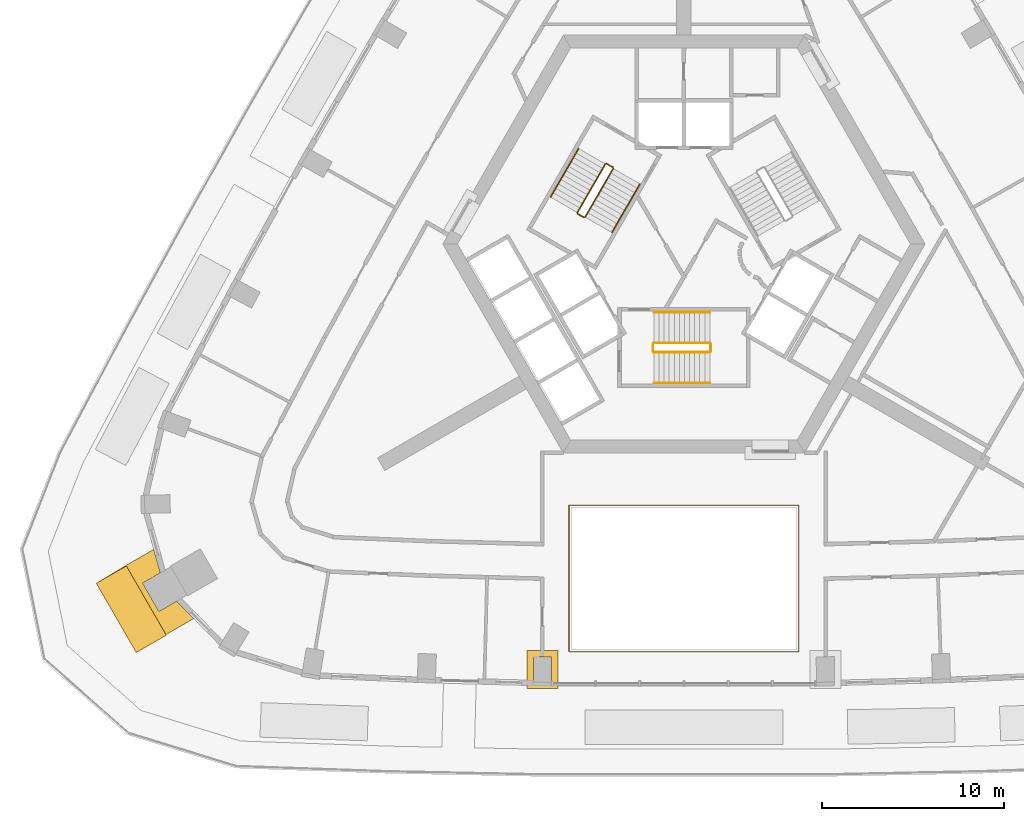
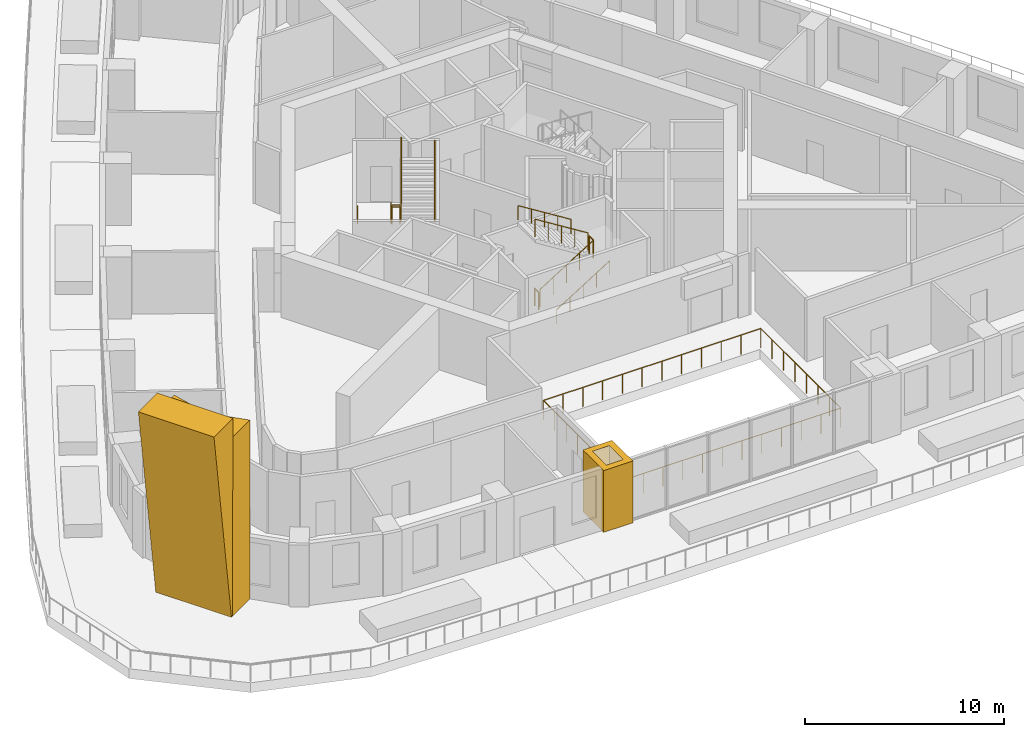
# One storey, part 11 of 13: 13 railings, 3 coverings.
"""IFC4 building model written with IfcOpenShell, lengths in metres."""

from ifc_helpers import new_model, si_unit, direction, frame, origin, origin_2d, place, context, subcontext, project, spatial, polyline, circle, outline, extrude, material, type_object, element, save


model = new_model("IFC4")

# Units and contexts
model_context = context("Model", 3, precision=1e-05, world=origin(), true_north=direction((0.0, 1.0)))
body_context = subcontext(model_context, "Body", "Model", "MODEL_VIEW")
ifc_project = project(units=[si_unit("LENGTHUNIT", "METRE"), si_unit("AREAUNIT", "SQUARE_METRE"), si_unit("VOLUMEUNIT", "CUBIC_METRE"), si_unit("PLANEANGLEUNIT", "RADIAN"), si_unit("MASSUNIT", "GRAM", prefix="KILO")], contexts=[model_context])

# Site, building, storey
site_placement = place(None, origin())
site = spatial("IfcSite", under=ifc_project, at=site_placement, CompositionType="ELEMENT")
building_placement = place(site_placement, origin())
building = spatial("IfcBuilding", under=site, at=building_placement, Name="Entoto Arch Interchange Tower", CompositionType="ELEMENT")
storey_placement = place(building_placement, frame((0.0, 0.0, 189.800048828125)))
storey = spatial("IfcBuildingStorey", under=building, at=storey_placement, Name="L42", CompositionType="ELEMENT", Elevation=189.800048828125)

# Railing
ifc_material_1 = material(Name="Stainless steel 1.4301", Category="steel")
railing_type_1 = type_object("IfcRailingType", Name="ATRIUM GUARD 1200 STEEL AND GLASS", PredefinedType="GUARDRAIL", material=ifc_material_1)
railing_1_placement = place(storey_placement, frame((6.320068359375, -19.947021484375, 0.0)))
element("IfcRailing", 1, at=railing_1_placement, inside=storey, type_object=railing_type_1, Name="Atrium guard L42", PredefinedType="GUARDRAIL", context=body_context, shape_type="SweptSolid", body=[
    extrude(circle(Radius=0.02392578125, at=origin_2d()), frame((0.0, 0.0, 1.17578125), z_axis=(-1.0, 0.0, 0.0), x_axis=(0.0, -1.0, 0.0)), (0.0, 0.0, 1.0), 12.64013671875),
    extrude(circle(Radius=0.02392578125, at=origin_2d()), frame((-12.64013671875, 0.0, 1.17578125), z_axis=(0.0, 1.0, 0.0), x_axis=(-1.0, 0.0, 0.0)), (0.0, 0.0, 1.0), 8.067138671875),
    extrude(circle(Radius=0.02392578125, at=origin_2d()), frame((-12.64013671875, 8.067138671875, 1.17578125), z_axis=(1.0, 0.0, 0.0), x_axis=(0.0, 1.0, 0.0)), (0.0, 0.0, 1.0), 12.64013671875),
    extrude(circle(Radius=0.02392578125, at=origin_2d()), frame((0.0, 8.067138671875, 1.17578125), z_axis=(0.0, -1.0, 0.0), x_axis=(1.0, 0.0, 0.0)), (0.0, 0.0, 1.0), 8.067138671875),
    extrude(circle(Radius=0.02099609375, at=origin_2d()), origin(), (0.0, 0.0, 1.0), 1.15185546875),
    extrude(circle(Radius=0.02099609375, at=origin_2d()), frame((-1.149169921875, 0.0, 0.0)), (0.0, 0.0, 1.0), 1.15185546875),
    extrude(circle(Radius=0.02099609375, at=origin_2d()), frame((-2.298095703125, 0.0, 0.0)), (0.0, 0.0, 1.0), 1.15185546875),
    extrude(circle(Radius=0.02099609375, at=origin_2d()), frame((-3.447265625, 0.0, 0.0)), (0.0, 0.0, 1.0), 1.15185546875),
    extrude(circle(Radius=0.02099609375, at=origin_2d()), frame((-4.596435546875, 0.0, 0.0)), (0.0, 0.0, 1.0), 1.15185546875),
    extrude(circle(Radius=0.02099609375, at=origin_2d()), frame((-5.74560546875, 0.0, 0.0)), (0.0, 0.0, 1.0), 1.15185546875),
    extrude(circle(Radius=0.02099609375, at=origin_2d()), frame((-6.89453125, 0.0, 0.0)), (0.0, 0.0, 1.0), 1.15185546875),
    extrude(circle(Radius=0.02099609375, at=origin_2d()), frame((-8.043701171875, 0.0, 0.0)), (0.0, 0.0, 1.0), 1.15185546875),
    extrude(circle(Radius=0.02099609375, at=origin_2d()), frame((-9.19287109375, 0.0, 0.0)), (0.0, 0.0, 1.0), 1.15185546875),
    extrude(circle(Radius=0.02099609375, at=origin_2d()), frame((-10.342041015625, 0.0, 0.0)), (0.0, 0.0, 1.0), 1.15185546875),
    extrude(circle(Radius=0.02099609375, at=origin_2d()), frame((-11.490966796875, 0.0, 0.0)), (0.0, 0.0, 1.0), 1.15185546875),
    extrude(circle(Radius=0.02099609375, at=origin_2d()), frame((-12.64013671875, 0.0, 0.0)), (0.0, 0.0, 1.0), 1.15185546875),
    extrude(circle(Radius=0.02099609375, at=origin_2d()), frame((-12.64013671875, 1.15234375, 0.0)), (0.0, 0.0, 1.0), 1.15185546875),
    extrude(circle(Radius=0.02099609375, at=origin_2d()), frame((-12.64013671875, 2.304931640625, 0.0)), (0.0, 0.0, 1.0), 1.15185546875),
    extrude(circle(Radius=0.02099609375, at=origin_2d()), frame((-12.64013671875, 3.457275390625, 0.0)), (0.0, 0.0, 1.0), 1.15185546875),
    extrude(circle(Radius=0.02099609375, at=origin_2d()), frame((-12.64013671875, 4.60986328125, 0.0)), (0.0, 0.0, 1.0), 1.15185546875),
    extrude(circle(Radius=0.02099609375, at=origin_2d()), frame((-12.64013671875, 5.76220703125, 0.0)), (0.0, 0.0, 1.0), 1.15185546875),
    extrude(circle(Radius=0.02099609375, at=origin_2d()), frame((-12.64013671875, 6.914794921875, 0.0)), (0.0, 0.0, 1.0), 1.15185546875),
    extrude(circle(Radius=0.02099609375, at=origin_2d()), frame((-12.64013671875, 8.067138671875, 0.0)), (0.0, 0.0, 1.0), 1.15185546875),
    extrude(circle(Radius=0.02099609375, at=origin_2d()), frame((-11.490966796875, 8.067138671875, 0.0)), (0.0, 0.0, 1.0), 1.15185546875),
    extrude(circle(Radius=0.02099609375, at=origin_2d()), frame((-10.342041015625, 8.067138671875, 0.0)), (0.0, 0.0, 1.0), 1.15185546875),
    extrude(circle(Radius=0.02099609375, at=origin_2d()), frame((-9.19287109375, 8.067138671875, 0.0)), (0.0, 0.0, 1.0), 1.15185546875),
    extrude(circle(Radius=0.02099609375, at=origin_2d()), frame((-8.043701171875, 8.067138671875, 0.0)), (0.0, 0.0, 1.0), 1.15185546875),
    extrude(circle(Radius=0.02099609375, at=origin_2d()), frame((-6.89453125, 8.067138671875, 0.0)), (0.0, 0.0, 1.0), 1.15185546875),
    extrude(circle(Radius=0.02099609375, at=origin_2d()), frame((-5.74560546875, 8.067138671875, 0.0)), (0.0, 0.0, 1.0), 1.15185546875),
    extrude(circle(Radius=0.02099609375, at=origin_2d()), frame((-4.596435546875, 8.067138671875, 0.0)), (0.0, 0.0, 1.0), 1.15185546875),
    extrude(circle(Radius=0.02099609375, at=origin_2d()), frame((-3.447265625, 8.067138671875, 0.0)), (0.0, 0.0, 1.0), 1.15185546875),
    extrude(circle(Radius=0.02099609375, at=origin_2d()), frame((-2.298095703125, 8.067138671875, 0.0)), (0.0, 0.0, 1.0), 1.15185546875),
    extrude(circle(Radius=0.02099609375, at=origin_2d()), frame((-1.149169921875, 8.067138671875, 0.0)), (0.0, 0.0, 1.0), 1.15185546875),
    extrude(circle(Radius=0.02099609375, at=origin_2d()), frame((0.0, 8.067138671875, 0.0)), (0.0, 0.0, 1.0), 1.15185546875),
    extrude(circle(Radius=0.02099609375, at=origin_2d()), frame((0.0, 6.914794921875, 0.0)), (0.0, 0.0, 1.0), 1.15185546875),
    extrude(circle(Radius=0.02099609375, at=origin_2d()), frame((0.0, 5.76220703125, 0.0)), (0.0, 0.0, 1.0), 1.15185546875),
    extrude(circle(Radius=0.02099609375, at=origin_2d()), frame((0.0, 4.60986328125, 0.0)), (0.0, 0.0, 1.0), 1.15185546875),
    extrude(circle(Radius=0.02099609375, at=origin_2d()), frame((0.0, 3.457275390625, 0.0)), (0.0, 0.0, 1.0), 1.15185546875),
    extrude(circle(Radius=0.02099609375, at=origin_2d()), frame((0.0, 2.304931640625, 0.0)), (0.0, 0.0, 1.0), 1.15185546875),
    extrude(circle(Radius=0.02099609375, at=origin_2d()), frame((0.0, 1.15234375, 0.0)), (0.0, 0.0, 1.0), 1.15185546875),
])

# Coverings
ifc_material_2 = material(Name="Board-marked precast concrete C50/60", Category="concrete")
covering_type = type_object("IfcCoveringType", Name="PRECAST FRAME COURSE", PredefinedType="CLADDING", material=ifc_material_2)
covering_1_placement = place(storey_placement, origin())
element("IfcCovering", 2, at=covering_1_placement, inside=storey, type_object=covering_type, Name="Corner pilaster SW L42-L44", PredefinedType="CLADDING", context=body_context, shape_type="SweptSolid", body=[
    extrude(outline(polyline([(-28.51806640625, -19.0048828125), (-30.718017578125, -15.195068359375), (-29.194091796875, -14.31396484375), (-28.830078125, -15.60595703125), (-29.80810546875, -16.1708984375), (-28.907958984375, -17.72900390625), (-27.929931640625, -17.1650390625), (-26.993896484375, -18.125), (-28.51806640625, -19.0048828125)])), origin(), (0.0, 0.0, 1.0), 11.0),
])
covering_2_placement = place(storey_placement, frame((-30.718017578125, -15.195068359375, 0.0), z_axis=(-0.499875121428, 0.866092488993, 0.002943380177), x_axis=(-0.866096241874, -0.499877284753, -7.92435e-07)))
element("IfcCovering", 3, at=covering_2_placement, inside=storey, type_object=covering_type, Name="Corner rib SW L42-L44", PredefinedType="CLADDING", context=body_context, shape_type="SweptSolid", body=[
    extrude(outline(polyline([(0.0, 0.0), (0.089907744519577, 0.0), (1.9118906428096982, 12.200005534335567), (-0.0001577894255824919, 12.200003947909243), (0.0, 0.0)])), origin(), (0.0, 0.0, -1.0), 4.39990234375),
])
covering_3_placement = place(storey_placement, origin())
element("IfcCovering", 4, at=covering_3_placement, inside=storey, type_object=covering_type, Name="Gate pier L42", PredefinedType="CLADDING", context=body_context, shape_type="SweptSolid", body=[
    extrude(outline(polyline([(-8.637939453125, -19.876953125), (-6.93798828125, -19.876953125), (-6.93798828125, -21.97705078125), (-8.637939453125, -21.97705078125), (-8.637939453125, -19.876953125)]), holes=[polyline([(-8.2880859375, -20.22705078125), (-8.2880859375, -21.626953125), (-7.2880859375, -21.626953125), (-7.2880859375, -20.22705078125), (-8.2880859375, -20.22705078125)])]), origin(), (0.0, 0.0, 1.0), 3.800048828125),
])

# Railings
railing_type_2 = type_object("IfcRailingType", Name="STAIR GUARD 1100 STEEL", PredefinedType="GUARDRAIL", material=ifc_material_1)
railing_2_placement = place(storey_placement, frame((-1.64990234375, -3.449951171875, 0.175048828125)))
element("IfcRailing", 5, at=railing_2_placement, inside=storey, type_object=railing_type_2, Name="L42 ST-S stair guard 1", PredefinedType="GUARDRAIL", context=body_context, shape_type="SweptSolid", body=[
    extrude(circle(Radius=0.02392578125, at=origin_2d()), frame((0.0, 0.0, 1.076171875), z_axis=(0.848009633417, 0.0, 0.529980812513), x_axis=(0.0, 1.0, 0.0)), (0.0, 0.0, 1.0), 3.6318359375),
    extrude(circle(Radius=0.02099609375, at=origin_2d()), origin(), (0.0, 0.0, 1.0), 1.052001953125),
    extrude(circle(Radius=0.02099609375, at=origin_2d()), frame((0.77001953125, 0.0, 0.481201171875)), (0.0, 0.0, 1.0), 1.052001953125),
    extrude(circle(Radius=0.02099609375, at=origin_2d()), frame((1.5400390625, 0.0, 0.96240234375)), (0.0, 0.0, 1.0), 1.052001953125),
    extrude(circle(Radius=0.02099609375, at=origin_2d()), frame((2.309814453125, 0.0, 1.443603515625)), (0.0, 0.0, 1.0), 1.052001953125),
    extrude(circle(Radius=0.02099609375, at=origin_2d()), frame((3.079833984375, 0.0, 1.9248046875)), (0.0, 0.0, 1.0), 1.052001953125),
])
railing_3_placement = place(storey_placement, frame((1.47998046875, -3.39990234375, 2.099853515625)))
element("IfcRailing", 6, at=railing_3_placement, inside=storey, type_object=railing_type_2, Name="L42 ST-S stair guard 2", PredefinedType="GUARDRAIL", context=body_context, shape_type="SweptSolid", body=[
    extrude(circle(Radius=0.02392578125, at=origin_2d()), frame((0.0, 0.0, 1.076171875), z_axis=(0.0, 1.0, 0.0), x_axis=(-1.0, 0.0, 0.0)), (0.0, 0.0, 1.0), 0.39990234375),
    extrude(circle(Radius=0.02099609375, at=origin_2d()), origin(), (0.0, 0.0, 1.0), 1.052001953125),
    extrude(circle(Radius=0.02099609375, at=origin_2d()), frame((0.0, 0.39990234375, 0.0)), (0.0, 0.0, 1.0), 1.052001953125),
])
railing_4_placement = place(storey_placement, frame((1.429931640625, -2.949951171875, 2.27490234375)))
element("IfcRailing", 7, at=railing_4_placement, inside=storey, type_object=railing_type_2, Name="L42 ST-S stair guard 3", PredefinedType="GUARDRAIL", context=body_context, shape_type="SweptSolid", body=[
    extrude(circle(Radius=0.02392578125, at=origin_2d()), frame((0.0, 0.0, 1.076171875), z_axis=(-0.847979421464, 0.0, 0.530029150871), x_axis=(0.0, -1.0, 0.0)), (0.0, 0.0, 1.0), 3.632080078125),
    extrude(circle(Radius=0.02099609375, at=origin_2d()), origin(), (0.0, 0.0, 1.0), 1.052001953125),
    extrude(circle(Radius=0.02099609375, at=origin_2d()), frame((-0.77001953125, 0.0, 0.481201171875)), (0.0, 0.0, 1.0), 1.052001953125),
    extrude(circle(Radius=0.02099609375, at=origin_2d()), frame((-1.5400390625, 0.0, 0.96240234375)), (0.0, 0.0, 1.0), 1.052001953125),
    extrude(circle(Radius=0.02099609375, at=origin_2d()), frame((-2.309814453125, 0.0, 1.44384765625)), (0.0, 0.0, 1.0), 1.052001953125),
    extrude(circle(Radius=0.02099609375, at=origin_2d()), frame((-3.079833984375, 0.0, 1.925048828125)), (0.0, 0.0, 1.0), 1.052001953125),
])
railing_5_placement = place(storey_placement, frame((-1.699951171875, -3.39990234375, 0.0)))
element("IfcRailing", 8, at=railing_5_placement, inside=storey, type_object=railing_type_2, Name="L42 ST-S stair guard 4", PredefinedType="GUARDRAIL", context=body_context, shape_type="SweptSolid", body=[
    extrude(circle(Radius=0.02392578125, at=origin_2d()), frame((0.0, 0.0, 1.076171875), z_axis=(0.0, 1.0, 0.0), x_axis=(-1.0, 0.0, 0.0)), (0.0, 0.0, 1.0), 0.39990234375),
    extrude(circle(Radius=0.02099609375, at=origin_2d()), origin(), (0.0, 0.0, 1.0), 1.052001953125),
    extrude(circle(Radius=0.02099609375, at=origin_2d()), frame((0.0, 0.39990234375, 0.0)), (0.0, 0.0, 1.0), 1.052001953125),
])
railing_6_placement = place(storey_placement, frame((-4.327880859375, 6.904052734375, 0.175048828125)))
element("IfcRailing", 9, at=railing_6_placement, inside=storey, type_object=railing_type_2, Name="L42 ST-NW stair guard 1", PredefinedType="GUARDRAIL", context=body_context, shape_type="SweptSolid", body=[
    extrude(circle(Radius=0.02392578125, at=origin_2d()), frame((0.0, 0.0, 1.076171875), z_axis=(-0.424009578203, -0.734421155904, 0.529944755001), x_axis=(0.866029832698, -0.499992328818, 0.0)), (0.0, 0.0, 1.0), 3.632080078125),
    extrude(circle(Radius=0.02099609375, at=origin_2d()), origin(), (0.0, 0.0, 1.0), 1.052001953125),
    extrude(circle(Radius=0.02099609375, at=origin_2d()), frame((-0.385009765625, -0.6669921875, 0.481201171875)), (0.0, 0.0, 1.0), 1.052001953125),
    extrude(circle(Radius=0.02099609375, at=origin_2d()), frame((-0.77001953125, -1.333740234375, 0.96240234375)), (0.0, 0.0, 1.0), 1.052001953125),
    extrude(circle(Radius=0.02099609375, at=origin_2d()), frame((-1.155029296875, -2.00048828125, 1.443603515625)), (0.0, 0.0, 1.0), 1.052001953125),
    extrude(circle(Radius=0.02099609375, at=origin_2d()), frame((-1.5400390625, -2.66748046875, 1.9248046875)), (0.0, 0.0, 1.0), 1.052001953125),
])
railing_7_placement = place(storey_placement, frame((-5.849609375, 4.168212890625, 2.099853515625)))
element("IfcRailing", 10, at=railing_7_placement, inside=storey, type_object=railing_type_2, Name="L42 ST-NW stair guard 2", PredefinedType="GUARDRAIL", context=body_context, shape_type="SweptSolid", body=[
    extrude(circle(Radius=0.02392578125, at=origin_2d()), frame((0.0, 0.0, 1.076171875), z_axis=(0.866094119867, -0.499880961361, 0.0), x_axis=(0.499880961361, 0.866094119867, 0.0)), (0.0, 0.0, 1.0), 0.39990234375),
    extrude(circle(Radius=0.02099609375, at=origin_2d()), origin(), (0.0, 0.0, 1.0), 1.052001953125),
    extrude(circle(Radius=0.02099609375, at=origin_2d()), frame((0.346435546875, -0.199951171875, 0.0)), (0.0, 0.0, 1.0), 1.052001953125),
])
railing_8_placement = place(storey_placement, frame((-5.434814453125, 3.986572265625, 2.27490234375)))
element("IfcRailing", 11, at=railing_8_placement, inside=storey, type_object=railing_type_2, Name="L42 ST-NW stair guard 3", PredefinedType="GUARDRAIL", context=body_context, shape_type="SweptSolid", body=[
    extrude(circle(Radius=0.02392578125, at=origin_2d()), frame((0.0, 0.0, 1.076171875), z_axis=(0.423994474112, 0.734394994316, 0.52999309264), x_axis=(-0.866029832698, 0.499992328818, 0.0)), (0.0, 0.0, 1.0), 3.63232421875),
    extrude(circle(Radius=0.02099609375, at=origin_2d()), origin(), (0.0, 0.0, 1.0), 1.052001953125),
    extrude(circle(Radius=0.02099609375, at=origin_2d()), frame((0.385009765625, 0.6669921875, 0.481201171875)), (0.0, 0.0, 1.0), 1.052001953125),
    extrude(circle(Radius=0.02099609375, at=origin_2d()), frame((0.77001953125, 1.333740234375, 0.96240234375)), (0.0, 0.0, 1.0), 1.052001953125),
    extrude(circle(Radius=0.02099609375, at=origin_2d()), frame((1.155029296875, 2.00048828125, 1.44384765625)), (0.0, 0.0, 1.0), 1.052001953125),
    extrude(circle(Radius=0.02099609375, at=origin_2d()), frame((1.5400390625, 2.66748046875, 1.925048828125)), (0.0, 0.0, 1.0), 1.052001953125),
])
railing_9_placement = place(storey_placement, frame((-4.259521484375, 6.92236328125, 0.0)))
element("IfcRailing", 12, at=railing_9_placement, inside=storey, type_object=railing_type_2, Name="L42 ST-NW stair guard 4", PredefinedType="GUARDRAIL", context=body_context, shape_type="SweptSolid", body=[
    extrude(circle(Radius=0.02392578125, at=origin_2d()), frame((0.0, 0.0, 1.076171875), z_axis=(0.865829829939, -0.500338590944, 0.0), x_axis=(0.500338590944, 0.865829829939, 0.0)), (0.0, 0.0, 1.0), 0.400146484375),
    extrude(circle(Radius=0.02099609375, at=origin_2d()), origin(), (0.0, 0.0, 1.0), 1.052001953125),
    extrude(circle(Radius=0.02099609375, at=origin_2d()), frame((0.346435546875, -0.2001953125, 0.0)), (0.0, 0.0, 1.0), 1.052001953125),
])
railing_type_3 = type_object("IfcRailingType", Name="STAIR HANDRAIL 900 STEEL", PredefinedType="HANDRAIL", material=ifc_material_1)
railing_10_placement = place(storey_placement, frame((-1.64990234375, -5.14990234375, 0.175048828125)))
element("IfcRailing", 13, at=railing_10_placement, inside=storey, type_object=railing_type_3, Name="L42 ST-S stair handrail 1", PredefinedType="HANDRAIL", context=body_context, shape_type="SweptSolid", body=[
    extrude(circle(Radius=0.02392578125, at=origin_2d()), frame((0.0, 0.0, 0.8759765625), z_axis=(0.848009633417, 0.0, 0.529980812513), x_axis=(0.0, 1.0, 0.0)), (0.0, 0.0, 1.0), 3.6318359375),
    extrude(circle(Radius=0.02099609375, at=origin_2d()), origin(), (0.0, 0.0, 1.0), 0.851806640625),
    extrude(circle(Radius=0.02099609375, at=origin_2d()), frame((0.77001953125, 0.0, 0.481201171875)), (0.0, 0.0, 1.0), 0.851806640625),
    extrude(circle(Radius=0.02099609375, at=origin_2d()), frame((1.5400390625, 0.0, 0.96240234375)), (0.0, 0.0, 1.0), 0.851806640625),
    extrude(circle(Radius=0.02099609375, at=origin_2d()), frame((2.309814453125, 0.0, 1.443603515625)), (0.0, 0.0, 1.0), 0.851806640625),
    extrude(circle(Radius=0.02099609375, at=origin_2d()), frame((3.079833984375, 0.0, 1.9248046875)), (0.0, 0.0, 1.0), 0.851806640625),
])
railing_11_placement = place(storey_placement, frame((1.429931640625, -1.25, 2.27490234375)))
element("IfcRailing", 14, at=railing_11_placement, inside=storey, type_object=railing_type_3, Name="L42 ST-S stair handrail 2", PredefinedType="HANDRAIL", context=body_context, shape_type="SweptSolid", body=[
    extrude(circle(Radius=0.02392578125, at=origin_2d()), frame((0.0, 0.0, 0.8759765625), z_axis=(-0.847979421464, 0.0, 0.530029150871), x_axis=(0.0, -1.0, 0.0)), (0.0, 0.0, 1.0), 3.632080078125),
    extrude(circle(Radius=0.02099609375, at=origin_2d()), origin(), (0.0, 0.0, 1.0), 0.851806640625),
    extrude(circle(Radius=0.02099609375, at=origin_2d()), frame((-0.77001953125, 0.0, 0.481201171875)), (0.0, 0.0, 1.0), 0.851806640625),
    extrude(circle(Radius=0.02099609375, at=origin_2d()), frame((-1.5400390625, 0.0, 0.96240234375)), (0.0, 0.0, 1.0), 0.851806640625),
    extrude(circle(Radius=0.02099609375, at=origin_2d()), frame((-2.309814453125, 0.0, 1.44384765625)), (0.0, 0.0, 1.0), 0.851806640625),
    extrude(circle(Radius=0.02099609375, at=origin_2d()), frame((-3.079833984375, 0.0, 1.925048828125)), (0.0, 0.0, 1.0), 0.851806640625),
])
railing_12_placement = place(storey_placement, frame((-5.800048828125, 7.75390625, 0.175048828125)))
element("IfcRailing", 15, at=railing_12_placement, inside=storey, type_object=railing_type_3, Name="L42 ST-NW stair handrail 1", PredefinedType="HANDRAIL", context=body_context, shape_type="SweptSolid", body=[
    extrude(circle(Radius=0.02392578125, at=origin_2d()), frame((0.0, 0.0, 0.8759765625), z_axis=(-0.42403051051, -0.734390191396, 0.529970917068), x_axis=(0.866010015463, -0.500026652407, 0.0)), (0.0, 0.0, 1.0), 3.6318359375),
    extrude(circle(Radius=0.02099609375, at=origin_2d()), origin(), (0.0, 0.0, 1.0), 0.851806640625),
    extrude(circle(Radius=0.02099609375, at=origin_2d()), frame((-0.385009765625, -0.666748046875, 0.481201171875)), (0.0, 0.0, 1.0), 0.851806640625),
    extrude(circle(Radius=0.02099609375, at=origin_2d()), frame((-0.77001953125, -1.33349609375, 0.96240234375)), (0.0, 0.0, 1.0), 0.851806640625),
    extrude(circle(Radius=0.02099609375, at=origin_2d()), frame((-1.155029296875, -2.00048828125, 1.443603515625)), (0.0, 0.0, 1.0), 0.851806640625),
    extrude(circle(Radius=0.02099609375, at=origin_2d()), frame((-1.5400390625, -2.667236328125, 1.9248046875)), (0.0, 0.0, 1.0), 0.851806640625),
])
railing_13_placement = place(storey_placement, frame((-3.962646484375, 3.136474609375, 2.27490234375)))
element("IfcRailing", 16, at=railing_13_placement, inside=storey, type_object=railing_type_3, Name="L42 ST-NW stair handrail 2", PredefinedType="HANDRAIL", context=body_context, shape_type="SweptSolid", body=[
    extrude(circle(Radius=0.02392578125, at=origin_2d()), frame((0.0, 0.0, 0.8759765625), z_axis=(0.423994474112, 0.734394994316, 0.52999309264), x_axis=(-0.866029832698, 0.499992328818, 0.0)), (0.0, 0.0, 1.0), 3.63232421875),
    extrude(circle(Radius=0.02099609375, at=origin_2d()), origin(), (0.0, 0.0, 1.0), 0.851806640625),
    extrude(circle(Radius=0.02099609375, at=origin_2d()), frame((0.385009765625, 0.6669921875, 0.481201171875)), (0.0, 0.0, 1.0), 0.851806640625),
    extrude(circle(Radius=0.02099609375, at=origin_2d()), frame((0.77001953125, 1.333740234375, 0.96240234375)), (0.0, 0.0, 1.0), 0.851806640625),
    extrude(circle(Radius=0.02099609375, at=origin_2d()), frame((1.155029296875, 2.00048828125, 1.44384765625)), (0.0, 0.0, 1.0), 0.851806640625),
    extrude(circle(Radius=0.02099609375, at=origin_2d()), frame((1.5400390625, 2.66748046875, 1.925048828125)), (0.0, 0.0, 1.0), 0.851806640625),
])

save(model, "model.ifc")
